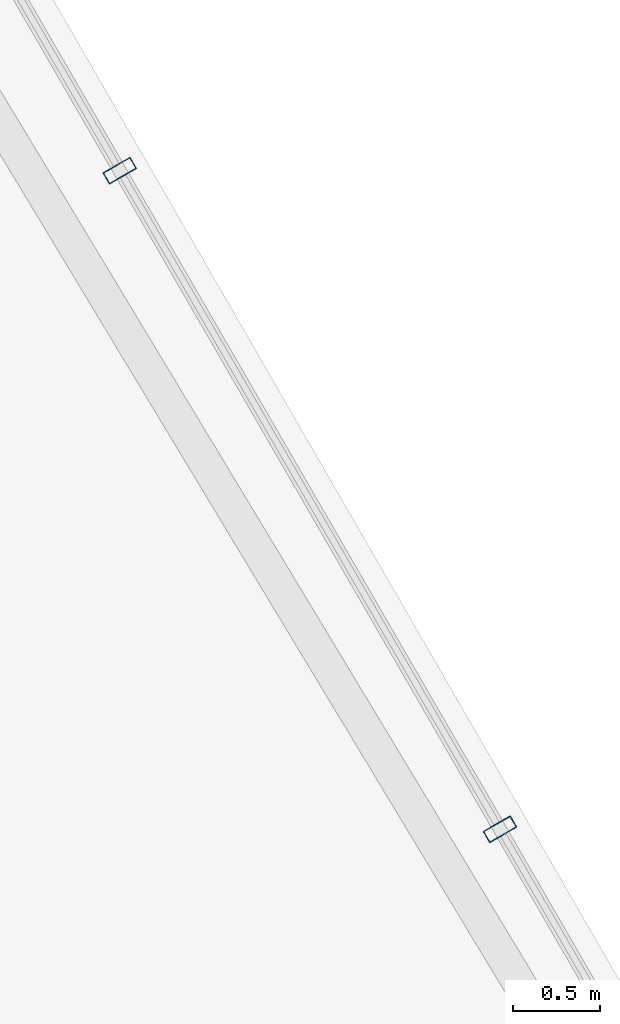
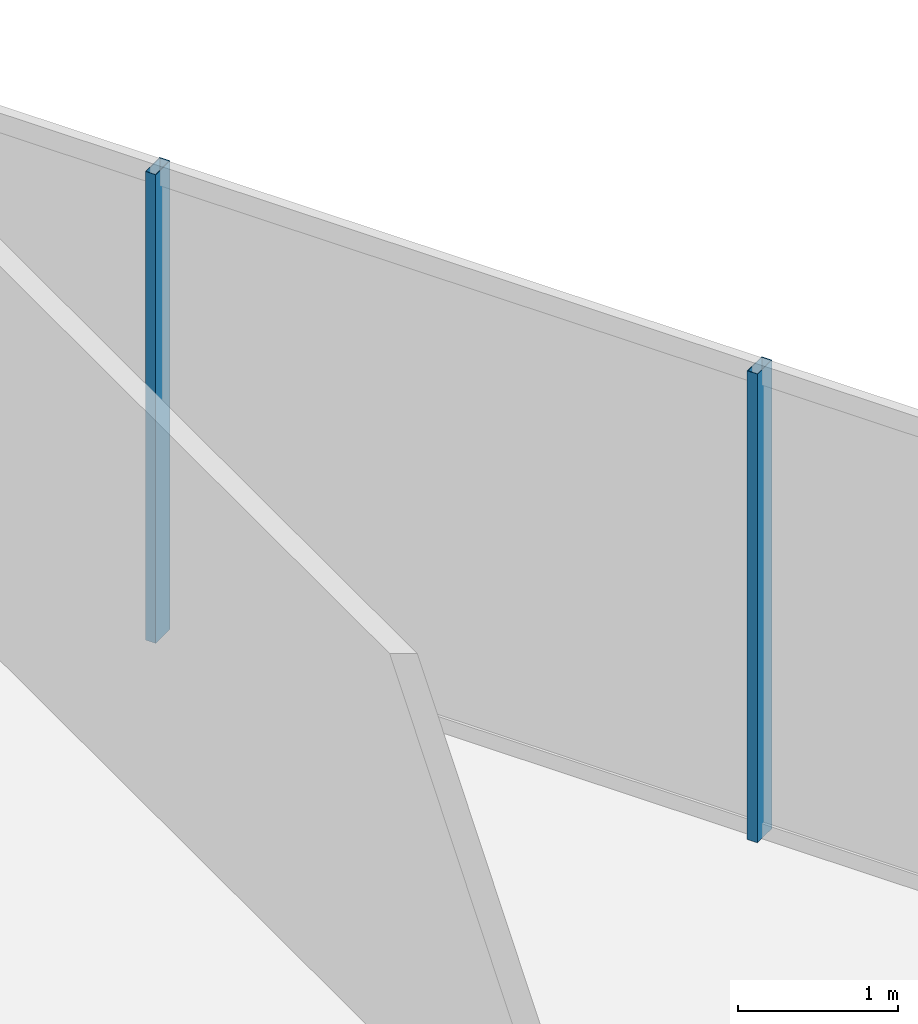
# One storey, part 19 of 29: 2 members, 1 element without a shape of its own.
"""IFC4 building model written with IfcOpenShell, lengths in metres."""

from ifc_helpers import new_model, si_unit, direction, frame, origin, origin_2d, place, context, subcontext, project, spatial, hollow_rectangle, extrude, material, layer, layer_set, material_profile, profile_set, type_object, element, aggregate, save


model = new_model("IFC4")

# Units and contexts
model_context = context("Model", 3, precision=1e-05, world=origin(), true_north=direction((0.0, 1.0)))
body_context = subcontext(model_context, "Body", "Model", "MODEL_VIEW")
ifc_project = project(units=[si_unit("LENGTHUNIT", "METRE"), si_unit("AREAUNIT", "SQUARE_METRE"), si_unit("VOLUMEUNIT", "CUBIC_METRE"), si_unit("PLANEANGLEUNIT", "RADIAN"), si_unit("MASSUNIT", "GRAM", prefix="KILO")], contexts=[model_context])

# Site, building, storey
site_placement = place(None, origin())
site = spatial("IfcSite", under=ifc_project, at=site_placement, CompositionType="ELEMENT")
building_placement = place(site_placement, origin())
building = spatial("IfcBuilding", under=site, at=building_placement, Name="Ndaravel Arena Tower", CompositionType="ELEMENT")
storey_placement = place(building_placement, frame((0.0, 0.0, 237.0)))
storey = spatial("IfcBuildingStorey", under=building, at=storey_placement, Name="L57", CompositionType="ELEMENT", Elevation=237.0)

# Curtain wall, members
ifc_material_1 = material(Name="Aluminium", Category="aluminium")
ifc_layer = layer(ifc_material_1, 0.179931640625)
ifc_layer_set = layer_set([ifc_layer], Name="Aluminium")
curtain_wall_type = type_object("IfcCurtainWallType", Name="CW-SYS-03", PredefinedType="NOTDEFINED", material=ifc_layer_set)
curtain_wall_placement = place(storey_placement, origin())
curtain_wall = element("IfcCurtainWall", 1, at=curtain_wall_placement, inside=storey, type_object=curtain_wall_type, Name="L57 Faceted Crystal Curtain Wall CW-L57-E03", PredefinedType="NOTDEFINED")
ifc_material_2 = material(Name="Aluminium", Category="aluminium")
ifc_material_profile = material_profile(ifc_material_2, hollow_rectangle(XDim=0.074951171875, YDim=0.179931640625, WallThickness=0.00390625, at=origin_2d()), Name="CW MULLION 75x180x4")
ifc_profile_set = profile_set([ifc_material_profile], Name="Aluminium")
member_type = type_object("IfcMemberType", Name="MEM-CW-MUL180", PredefinedType="MULLION", material=ifc_profile_set)
member_1_placement = place(storey_placement, frame((54.296875, 30.224853515625, 0.0), z_axis=(0.0, 0.0, 1.0), x_axis=(-0.5, 0.866025403784, 0.0)))
member_1 = element("IfcMember", 2, at=member_1_placement, type_object=member_type, Name="CW-L57-E03 Mullion 05", PredefinedType="MULLION", context=body_context, shape_type="SweptSolid", body=[
    extrude(hollow_rectangle(XDim=0.074951171875, YDim=0.179931640625, WallThickness=0.00390625, at=origin_2d()), origin(), (0.0, 0.0, 1.0), 3.580078125),
])
member_2_placement = place(storey_placement, frame((52.12255859375, 33.990966796875, 0.0), z_axis=(0.0, 0.0, 1.0), x_axis=(-0.5, 0.866025403784, 0.0)))
member_2 = element("IfcMember", 3, at=member_2_placement, type_object=member_type, Name="CW-L57-E03 Mullion 06", PredefinedType="MULLION", context=body_context, shape_type="SweptSolid", body=[
    extrude(hollow_rectangle(XDim=0.074951171875, YDim=0.179931640625, WallThickness=0.00390625, at=origin_2d()), origin(), (0.0, 0.0, 1.0), 3.580078125),
])
aggregate(curtain_wall, [member_1, member_2])

save(model, "model.ifc")
